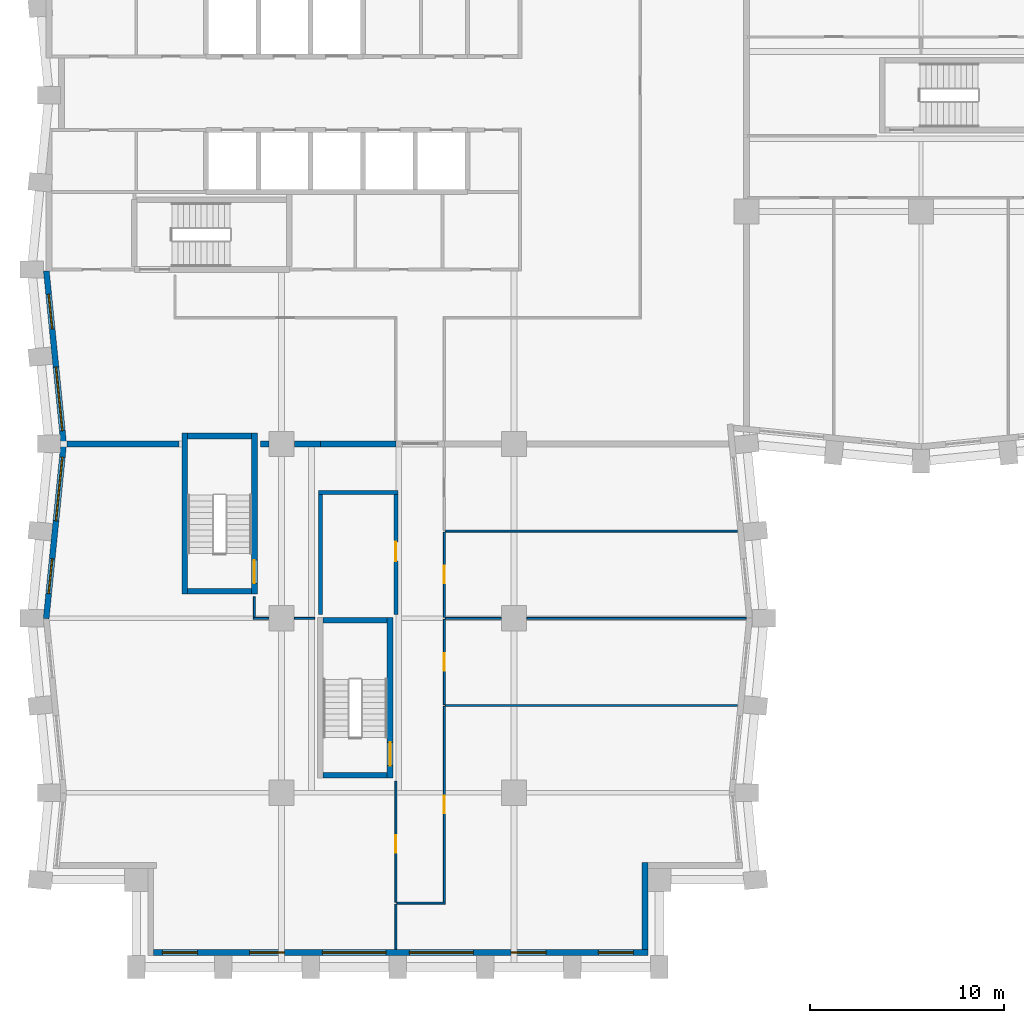
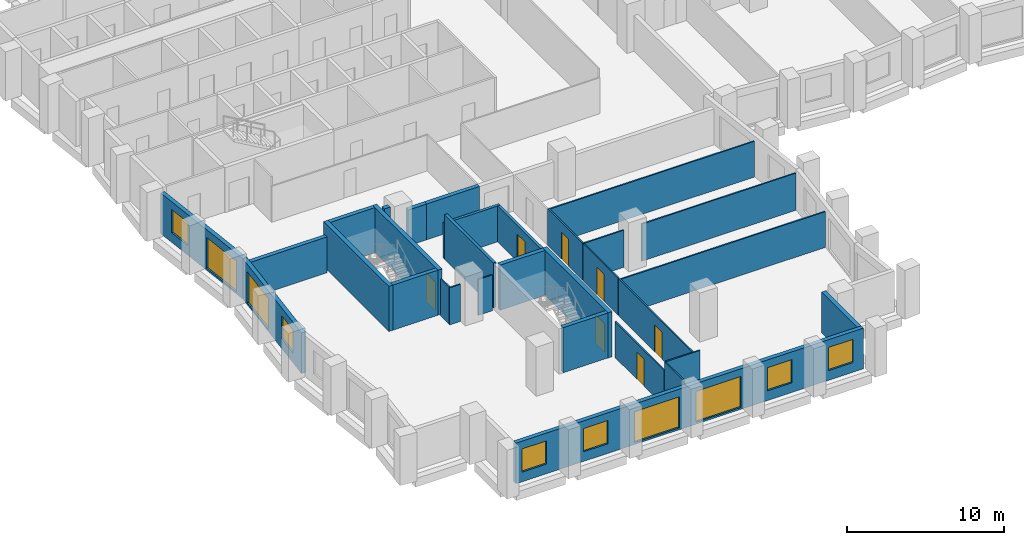
# One storey, part 3 of 11: 31 walls, 10 windows, 7 doors, 17 openings.
"""IFC4 building model written with IfcOpenShell, lengths in metres."""

import ifcopenshell
import ifcopenshell.guid

model = None  # the IFC model being written
_history = None  # IfcOwnerHistory: only IFC2X3 demands one
_inside = {}  # id of a spatial element -> (the spatial element, [elements in it])
_under = {}  # id of a project, library or spatial element -> (it, [spatial elements below it])
_declared = {}  # id of a project -> (the project, [libraries it declares])
_typed = {}  # id of a type object -> (the type object, [elements of that type])
_made_of = {}  # id of a material, layer set ... -> (it, [elements and type objects made of it])


def new_model(schema):
    """Start an empty IFC model of exactly this schema.

    Asked for "IFC4X3", IfcOpenShell would pick the latest addendum, in which some entities
    have other attributes; the version numbers below select the first issue.
    IFC2X3 requires an IfcOwnerHistory on every rooted entity: one is made here for all.
    """
    global model, _history
    if schema == "IFC4X3":
        model = ifcopenshell.file(schema_version=(4, 3, 0, 0))
    else:
        model = ifcopenshell.file(schema=schema)
    _inside.clear()
    _under.clear()
    _declared.clear()
    _typed.clear()
    _made_of.clear()
    _history = None
    if model.schema == "IFC2X3":
        org = make("IfcOrganization", Name="unknown")
        user = make(
            "IfcPersonAndOrganization",
            ThePerson=make("IfcPerson", FamilyName="unknown"),
            TheOrganization=org,
        )
        app = make(
            "IfcApplication",
            ApplicationDeveloper=org,
            Version="unknown",
            ApplicationFullName="unknown",
            ApplicationIdentifier="unknown",
        )
        _history = make(
            "IfcOwnerHistory",
            OwningUser=user,
            OwningApplication=app,
            ChangeAction="ADDED",
            CreationDate=0,
        )
    return model


def make(cls, **values):
    """One entity of the class cls with the attributes given. An attribute that is None is left unset."""
    return model.create_entity(
        cls, **{name: value for name, value in values.items() if value is not None}
    )


def rooted(cls, **values):
    """An entity with a GlobalId (a new one), such as an element, a storey or a relation."""
    return make(cls, GlobalId=ifcopenshell.guid.new(), OwnerHistory=_history, **values)


def si_unit(unit_type, name, prefix=None):
    """IfcSIUnit, for example si_unit("LENGTHUNIT", "METRE", prefix="MILLI")."""
    return make("IfcSIUnit", UnitType=unit_type, Prefix=prefix, Name=name)


def assignment(units):
    """IfcUnitAssignment: the units of a project."""
    return None if units is None else make("IfcUnitAssignment", Units=units)


def point(xyz):
    """IfcCartesianPoint."""
    return None if xyz is None else make("IfcCartesianPoint", Coordinates=xyz)


def direction(xyz):
    """IfcDirection."""
    return None if xyz is None else make("IfcDirection", DirectionRatios=xyz)


def frame(location, z_axis=None, x_axis=None):
    """IfcAxis2Placement3D, a coordinate frame: its origin and axes. An axis left out is left unset."""
    return make(
        "IfcAxis2Placement3D",
        Location=point(location),
        Axis=direction(z_axis),
        RefDirection=direction(x_axis),
    )


def frame_2d(location, x_axis=None):
    """IfcAxis2Placement2D, a coordinate frame in the plane: its origin and x axis."""
    return make(
        "IfcAxis2Placement2D", Location=point(location), RefDirection=direction(x_axis)
    )


def origin():
    """The frame at (0, 0, 0) with its axes left unset."""
    return frame((0.0, 0.0, 0.0))


def place(relative_to, where):
    """IfcLocalPlacement: puts the frame where relative to a parent placement (None: the world)."""
    return make(
        "IfcLocalPlacement", PlacementRelTo=relative_to, RelativePlacement=where
    )


def context(
    kind, dimensions, precision=None, world=None, true_north=None, identifier=None
):
    """IfcGeometricRepresentationContext, for example the 3D "Model" context."""
    return make(
        "IfcGeometricRepresentationContext",
        ContextIdentifier=identifier,
        ContextType=kind,
        CoordinateSpaceDimension=dimensions,
        Precision=precision,
        WorldCoordinateSystem=world,
        TrueNorth=true_north,
    )


def subcontext(parent, identifier, kind, view, scale=None):
    """IfcGeometricRepresentationSubContext, for example "Body" below "Model"."""
    return make(
        "IfcGeometricRepresentationSubContext",
        ContextIdentifier=identifier,
        ContextType=kind,
        ParentContext=parent,
        TargetScale=scale,
        TargetView=view,
    )


def project(units=None, contexts=None):
    """IfcProject with its units and contexts."""
    return rooted(
        "IfcProject",
        Name="project",
        RepresentationContexts=contexts,
        UnitsInContext=assignment(units),
    )


def spatial(cls, under=None, at=None, **own):
    """A site, building, storey or space (cls), placed at a placement, below another one or the project."""
    s = rooted(cls, ObjectPlacement=at, **own)
    if under is not None:
        _under.setdefault(under.id(), (under, []))[1].append(s)
    return s


def profile(cls, at=None, kind="AREA", **sizes):
    """A parametric profile (cls). Its sizes go by their IFC names, for example OverallWidth=200.0."""
    return make(cls, ProfileType=kind, Position=at, **sizes)


def rectangle(**sizes):
    """IfcRectangleProfileDef."""
    return profile("IfcRectangleProfileDef", **sizes)


def extrude(swept, where, along, depth):
    """IfcExtrudedAreaSolid: the profile swept, set in the frame where, extruded along a direction by depth."""
    return make(
        "IfcExtrudedAreaSolid",
        SweptArea=swept,
        Position=where,
        ExtrudedDirection=direction(along),
        Depth=depth,
    )


def shape(context_of_items, identifier, shape_type, items):
    """IfcShapeRepresentation: the items that make up one representation, for example the "Body"."""
    return make(
        "IfcShapeRepresentation",
        ContextOfItems=context_of_items,
        RepresentationIdentifier=identifier,
        RepresentationType=shape_type,
        Items=items,
    )


def material(Name=None, Category=None):
    """IfcMaterial."""
    return make("IfcMaterial", Name=Name, Category=Category)


def layer(
    of_material, thickness, ventilated=None, Name=None, Category=None, Priority=None
):
    """IfcMaterialLayer: one layer of a wall or slab, of a material (None: an air gap)."""
    return make(
        "IfcMaterialLayer",
        Material=of_material,
        LayerThickness=thickness,
        IsVentilated=ventilated,
        Name=Name,
        Category=Category,
        Priority=Priority,
    )


def layer_set(layers, Name=None):
    """IfcMaterialLayerSet."""
    return make("IfcMaterialLayerSet", MaterialLayers=layers, LayerSetName=Name)


def made_of(thing, what):
    """Note that an element or type object is made of a material, layer set ...; save() writes the relation."""
    if what is not None:
        _made_of.setdefault(what.id(), (what, []))[1].append(thing)
    return thing


def type_object(cls, material=None, **own):
    """A type object (cls), such as IfcWallType, which elements share."""
    return made_of(rooted(cls, **own), material)


def element(
    cls,
    number,
    at=None,
    inside=None,
    cuts=None,
    type_object=None,
    material=None,
    context=None,
    identifier="Body",
    shape_type=None,
    held_by="IfcProductDefinitionShape",
    body=None,
    shapes=None,
    **own,
):
    """One element of the class cls, such as IfcWall. Its Tag is "e" and its number.

    at: its placement. inside: the storey or other place that contains it. cuts: it is an
    opening in that element (IfcRelVoidsElement). A single representation is given by context,
    identifier, shape_type and body (its items); several are given by shapes. held_by: the class
    of the entity that holds the representations. save() writes the other relations.
    """
    e = rooted(cls, Tag="e%d" % number, ObjectPlacement=at, **own)
    if body is not None:
        shapes = [shape(context, identifier, shape_type, body)]
    if shapes is not None:
        e.Representation = make(held_by, Representations=shapes)
    if inside is not None:
        _inside.setdefault(inside.id(), (inside, []))[1].append(e)
    if cuts is not None:
        rooted(
            "IfcRelVoidsElement", RelatingBuildingElement=cuts, RelatedOpeningElement=e
        )
    if type_object is not None:
        _typed.setdefault(type_object.id(), (type_object, []))[1].append(e)
    return made_of(e, material)


def fill(opening, filler):
    """IfcRelFillsElement: the door or window that sits in an opening."""
    return rooted(
        "IfcRelFillsElement",
        RelatingOpeningElement=opening,
        RelatedBuildingElement=filler,
    )


def aggregate(whole, parts):
    """IfcRelAggregates: a whole, such as a stair, and the parts it consists of."""
    return rooted("IfcRelAggregates", RelatingObject=whole, RelatedObjects=parts)


def save(model, path):
    """Write the relations noted so far, then the file.

    IfcRelAggregates (storeys below a building ...), IfcRelContainedInSpatialStructure (elements
    in a storey), IfcRelDefinesByType, IfcRelAssociatesMaterial and IfcRelDeclares: one each for
    every whole, place, type object, material and project.
    """
    for whole, parts in _under.values():
        aggregate(whole, parts)
    for where, things in _inside.values():
        rooted(
            "IfcRelContainedInSpatialStructure",
            RelatedElements=things,
            RelatingStructure=where,
        )
    for kind, things in _typed.values():
        rooted("IfcRelDefinesByType", RelatedObjects=things, RelatingType=kind)
    for what, things in _made_of.values():
        rooted("IfcRelAssociatesMaterial", RelatedObjects=things, RelatingMaterial=what)
    for by, libraries in _declared.values():
        rooted("IfcRelDeclares", RelatingContext=by, RelatedDefinitions=libraries)
    model.write(path)


model = new_model("IFC4")

# Units and contexts
model_context = context("Model", 3, precision=1e-05, world=origin(), true_north=direction((0.0, 1.0)))
body_context = subcontext(model_context, "Body", "Model", "MODEL_VIEW")
ifc_project = project(units=[si_unit("LENGTHUNIT", "METRE"), si_unit("AREAUNIT", "SQUARE_METRE"), si_unit("VOLUMEUNIT", "CUBIC_METRE"), si_unit("PLANEANGLEUNIT", "RADIAN"), si_unit("MASSUNIT", "GRAM", prefix="KILO")], contexts=[model_context])

# Site, building, storey
site_placement = place(None, origin())
site = spatial("IfcSite", under=ifc_project, at=site_placement, CompositionType="ELEMENT")
building_placement = place(site_placement, origin())
building = spatial("IfcBuilding", under=site, at=building_placement, Name="Brondeck Convention Tower", CompositionType="ELEMENT")
storey_placement = place(building_placement, frame((0.0, 0.0, 126.5)))
storey = spatial("IfcBuildingStorey", under=building, at=storey_placement, Name="L30", CompositionType="ELEMENT", Elevation=126.5)

# Walls
ifc_material_1 = material(Name="Concrete compartment wall C30/37", Category="concrete")
ifc_layer_1 = layer(ifc_material_1, 0.300048828125)
ifc_layer_set_1 = layer_set([ifc_layer_1], Name="Compartment wall 300")
wall_type_1 = type_object("IfcWallType", Name="Compartment wall 300", PredefinedType="PARTITIONING", material=ifc_layer_set_1)
wall_1_placement = place(storey_placement, frame((0.924560546875, 27.0, 0.0), z_axis=(0.0, 0.0, 1.0), x_axis=(1.0, 0.0, 0.0)))
element("IfcWall", 1, at=wall_1_placement, inside=storey, type_object=wall_type_1, Name="FLR-L30-W018", PredefinedType="PARTITIONING", context=body_context, shape_type="SweptSolid", body=[
    extrude(rectangle(XDim=5.775390625, YDim=0.300048828125, at=frame_2d((2.8876953125, 0.0))), origin(), (0.0, 0.0, 1.0), 2.780029296875),
])
wall_2_placement = place(storey_placement, frame((10.89990234375, 27.0, 0.0), z_axis=(0.0, 0.0, 1.0), x_axis=(1.0, 0.0, 0.0)))
element("IfcWall", 2, at=wall_2_placement, inside=storey, type_object=wall_type_1, Name="FLR-L30-W019", PredefinedType="PARTITIONING", context=body_context, shape_type="SweptSolid", body=[
    extrude(rectangle(XDim=0.445068359375, YDim=0.300048828125, at=frame_2d((0.22265625, 0.0))), origin(), (0.0, 0.0, 1.0), 3.47998046875),
])
wall_3_placement = place(storey_placement, frame((12.655029296875, 27.0, 0.0), z_axis=(0.0, 0.0, 1.0), x_axis=(1.0, 0.0, 0.0)))
element("IfcWall", 3, at=wall_3_placement, inside=storey, type_object=wall_type_1, Name="FLR-L30-W020", PredefinedType="PARTITIONING", context=body_context, shape_type="SweptSolid", body=[
    extrude(rectangle(XDim=1.344970703125, YDim=0.300048828125, at=frame_2d((0.67236328125, 0.0))), origin(), (0.0, 0.0, 1.0), 2.780029296875),
])
wall_4_placement = place(storey_placement, frame((14.0, 27.0, 0.0), z_axis=(0.0, 0.0, 1.0), x_axis=(1.0, 0.0, 0.0)))
element("IfcWall", 4, at=wall_4_placement, inside=storey, type_object=wall_type_1, Name="FLR-L30-W021", PredefinedType="PARTITIONING", context=body_context, shape_type="SweptSolid", body=[
    extrude(rectangle(XDim=3.89990234375, YDim=0.300048828125, at=frame_2d((1.949951171875, 0.0))), origin(), (0.0, 0.0, 1.0), 2.780029296875),
])

# Wall, openings, windows
ifc_material_2 = material(Name="Precast concrete C50/60 bronze finish", Category="concrete")
ifc_layer_2 = layer(ifc_material_2, 0.070068359375, Name="Bronze precast facing")
ifc_material_3 = material(Name="Mineral wool")
ifc_layer_3 = layer(ifc_material_3, 0.159912109375, Name="Insulation")
ifc_material_4 = material(Name="Concrete C35/45", Category="concrete")
ifc_layer_4 = layer(ifc_material_4, 0.070068359375, Name="Backing")
ifc_layer_set_2 = layer_set([ifc_layer_2, ifc_layer_3, ifc_layer_4], Name="External infill wall, precast concrete C50/60 bronze facing")
wall_type_2 = type_object("IfcWallType", Name="External infill wall, precast concrete C50/60 bronze facing", PredefinedType="SOLIDWALL", material=ifc_layer_set_2)
wall_5_placement = place(storey_placement, frame((30.89990234375, 0.75, 0.0), z_axis=(0.0, 0.0, 1.0), x_axis=(-1.0, 0.0, 0.0)))
wall_5 = element("IfcWall", 5, at=wall_5_placement, inside=storey, type_object=wall_type_2, Name="ENV-EW-L30-P0-B-S0-01", PredefinedType="SOLIDWALL", context=body_context, shape_type="SweptSolid", body=[
    extrude(rectangle(XDim=25.5, YDim=0.300048828125, at=frame_2d((12.75, 0.0))), origin(), (0.0, 0.0, 1.0), 3.14990234375),
])
opening_1_placement = place(wall_5_placement, frame((0.75, 0.0, 0.75)))
opening_1 = element("IfcOpeningElement", 6, at=opening_1_placement, cuts=wall_5, Name="Opening W10", PredefinedType="OPENING", context=body_context, shape_type="SweptSolid", body=[
    extrude(rectangle(XDim=1.800048828125, YDim=1.800048828125, at=frame_2d((0.89990234375, 0.89990234375))), frame((0.0, 0.159912109375, 0.0), z_axis=(0.0, -1.0, 0.0), x_axis=(1.0, 0.0, 0.0)), (0.0, 0.0, 1.0), 0.320068359375),
])
opening_2_placement = place(wall_5_placement, frame((5.25, 0.0, 0.75)))
opening_2 = element("IfcOpeningElement", 7, at=opening_2_placement, cuts=wall_5, Name="Opening W10", PredefinedType="OPENING", context=body_context, shape_type="SweptSolid", body=[
    extrude(rectangle(XDim=1.800048828125, YDim=1.800048828125, at=frame_2d((0.89990234375, 0.89990234375))), frame((0.0, 0.159912109375, 0.0), z_axis=(0.0, -1.0, 0.0), x_axis=(1.0, 0.0, 0.0)), (0.0, 0.0, 1.0), 0.320068359375),
])
opening_3_placement = place(wall_5_placement, frame((9.0, 0.0, 0.14990234375)))
opening_3 = element("IfcOpeningElement", 8, at=opening_3_placement, cuts=wall_5, Name="Opening W9", PredefinedType="OPENING", context=body_context, shape_type="SweptSolid", body=[
    extrude(rectangle(XDim=3.300048828125, YDim=2.39990234375, at=frame_2d((1.64990234375, 1.199951171875))), frame((0.0, 0.159912109375, 0.0), z_axis=(0.0, -1.0, 0.0), x_axis=(1.0, 0.0, 0.0)), (0.0, 0.0, 1.0), 0.320068359375),
])
opening_4_placement = place(wall_5_placement, frame((13.5, 0.0, 0.14990234375)))
opening_4 = element("IfcOpeningElement", 9, at=opening_4_placement, cuts=wall_5, Name="Opening W9", PredefinedType="OPENING", context=body_context, shape_type="SweptSolid", body=[
    extrude(rectangle(XDim=3.300048828125, YDim=2.39990234375, at=frame_2d((1.64990234375, 1.199951171875))), frame((0.0, 0.159912109375, 0.0), z_axis=(0.0, -1.0, 0.0), x_axis=(1.0, 0.0, 0.0)), (0.0, 0.0, 1.0), 0.320068359375),
])
opening_5_placement = place(wall_5_placement, frame((18.75, 0.0, 0.75)))
opening_5 = element("IfcOpeningElement", 10, at=opening_5_placement, cuts=wall_5, Name="Opening W10", PredefinedType="OPENING", context=body_context, shape_type="SweptSolid", body=[
    extrude(rectangle(XDim=1.800048828125, YDim=1.800048828125, at=frame_2d((0.89990234375, 0.89990234375))), frame((0.0, 0.159912109375, 0.0), z_axis=(0.0, -1.0, 0.0), x_axis=(1.0, 0.0, 0.0)), (0.0, 0.0, 1.0), 0.320068359375),
])
opening_6_placement = place(wall_5_placement, frame((23.25, 0.0, 0.75)))
opening_6 = element("IfcOpeningElement", 11, at=opening_6_placement, cuts=wall_5, Name="Opening W10", PredefinedType="OPENING", context=body_context, shape_type="SweptSolid", body=[
    extrude(rectangle(XDim=1.800048828125, YDim=1.800048828125, at=frame_2d((0.89990234375, 0.89990234375))), frame((0.0, 0.159912109375, 0.0), z_axis=(0.0, -1.0, 0.0), x_axis=(1.0, 0.0, 0.0)), (0.0, 0.0, 1.0), 0.320068359375),
])
ifc_material_5 = material(Name="Bronze tinted double glazing", Category="glass")
window_type_1 = type_object("IfcWindowType", Name="Glazed flute window, bronze tinted", PartitioningType="SINGLE_PANEL", PredefinedType="WINDOW", material=ifc_material_5)
window_1_placement = place(opening_3_placement, origin())
window_1 = element("IfcWindow", 12, at=window_1_placement, inside=storey, type_object=window_type_1, Name="ENV-WN-L30-P0-B-S0-04", OverallHeight=2.39990234375, OverallWidth=3.300048828125, PartitioningType="SINGLE_PANEL", PredefinedType="WINDOW", context=body_context, shape_type="SweptSolid", body=[
    extrude(rectangle(XDim=3.300048828125, YDim=2.39990234375, at=frame_2d((1.64990234375, 1.199951171875))), frame((0.0, 0.030029296875, 0.0), z_axis=(0.0, -1.0, 0.0), x_axis=(1.0, 0.0, 0.0)), (0.0, 0.0, 1.0), 0.06005859375),
])
fill(opening_3, window_1)
window_2_placement = place(opening_4_placement, origin())
window_2 = element("IfcWindow", 13, at=window_2_placement, inside=storey, type_object=window_type_1, Name="ENV-WN-L30-P0-B-S0-03", OverallHeight=2.39990234375, OverallWidth=3.300048828125, PartitioningType="SINGLE_PANEL", PredefinedType="WINDOW", context=body_context, shape_type="SweptSolid", body=[
    extrude(rectangle(XDim=3.300048828125, YDim=2.39990234375, at=frame_2d((1.64990234375, 1.199951171875))), frame((0.0, 0.030029296875, 0.0), z_axis=(0.0, -1.0, 0.0), x_axis=(1.0, 0.0, 0.0)), (0.0, 0.0, 1.0), 0.06005859375),
])
fill(opening_4, window_2)
window_type_2 = type_object("IfcWindowType", Name="Punched window, bronze tinted", PartitioningType="SINGLE_PANEL", PredefinedType="WINDOW", material=ifc_material_5)
window_3_placement = place(opening_1_placement, origin())
window_3 = element("IfcWindow", 14, at=window_3_placement, inside=storey, type_object=window_type_2, Name="ENV-WN-L30-P0-B-S0-06", OverallHeight=1.800048828125, OverallWidth=1.800048828125, PartitioningType="SINGLE_PANEL", PredefinedType="WINDOW", context=body_context, shape_type="SweptSolid", body=[
    extrude(rectangle(XDim=1.800048828125, YDim=1.800048828125, at=frame_2d((0.89990234375, 0.89990234375))), frame((0.0, 0.030029296875, 0.0), z_axis=(0.0, -1.0, 0.0), x_axis=(1.0, 0.0, 0.0)), (0.0, 0.0, 1.0), 0.06005859375),
])
fill(opening_1, window_3)
window_4_placement = place(opening_2_placement, origin())
window_4 = element("IfcWindow", 15, at=window_4_placement, inside=storey, type_object=window_type_2, Name="ENV-WN-L30-P0-B-S0-05", OverallHeight=1.800048828125, OverallWidth=1.800048828125, PartitioningType="SINGLE_PANEL", PredefinedType="WINDOW", context=body_context, shape_type="SweptSolid", body=[
    extrude(rectangle(XDim=1.800048828125, YDim=1.800048828125, at=frame_2d((0.89990234375, 0.89990234375))), frame((0.0, 0.030029296875, 0.0), z_axis=(0.0, -1.0, 0.0), x_axis=(1.0, 0.0, 0.0)), (0.0, 0.0, 1.0), 0.06005859375),
])
fill(opening_2, window_4)
window_5_placement = place(opening_5_placement, origin())
window_5 = element("IfcWindow", 16, at=window_5_placement, inside=storey, type_object=window_type_2, Name="ENV-WN-L30-P0-B-S0-02", OverallHeight=1.800048828125, OverallWidth=1.800048828125, PartitioningType="SINGLE_PANEL", PredefinedType="WINDOW", context=body_context, shape_type="SweptSolid", body=[
    extrude(rectangle(XDim=1.800048828125, YDim=1.800048828125, at=frame_2d((0.89990234375, 0.89990234375))), frame((0.0, 0.030029296875, 0.0), z_axis=(0.0, -1.0, 0.0), x_axis=(1.0, 0.0, 0.0)), (0.0, 0.0, 1.0), 0.06005859375),
])
fill(opening_5, window_5)
window_6_placement = place(opening_6_placement, origin())
window_6 = element("IfcWindow", 17, at=window_6_placement, inside=storey, type_object=window_type_2, Name="ENV-WN-L30-P0-B-S0-01", OverallHeight=1.800048828125, OverallWidth=1.800048828125, PartitioningType="SINGLE_PANEL", PredefinedType="WINDOW", context=body_context, shape_type="SweptSolid", body=[
    extrude(rectangle(XDim=1.800048828125, YDim=1.800048828125, at=frame_2d((0.89990234375, 0.89990234375))), frame((0.0, 0.030029296875, 0.0), z_axis=(0.0, -1.0, 0.0), x_axis=(1.0, 0.0, 0.0)), (0.0, 0.0, 1.0), 0.06005859375),
])
fill(opening_6, window_6)

# Wall
wall_6_placement = place(storey_placement, frame((30.75, 5.39990234375, 0.0), z_axis=(0.0, 0.0, 1.0), x_axis=(0.0, -1.0, 0.0)))
element("IfcWall", 18, at=wall_6_placement, inside=storey, type_object=wall_type_2, Name="ENV-EW-L30-P0-NC-SEB0-01", PredefinedType="SOLIDWALL", context=body_context, shape_type="SweptSolid", body=[
    extrude(rectangle(XDim=4.501953125, YDim=0.300048828125, at=frame_2d((2.2509765625, 0.0))), origin(), (0.0, 0.0, 1.0), 3.14990234375),
])

# Wall, openings, windows
wall_7_placement = place(storey_placement, frame((0.755126953125, 26.985107421875, 0.0), z_axis=(0.0, 0.0, 1.0), x_axis=(-0.099479505633, 0.995039611251, 0.0)))
wall_7 = element("IfcWall", 19, at=wall_7_placement, inside=storey, type_object=wall_type_2, Name="ENV-EW-L30-P0-B-W-06", PredefinedType="SOLIDWALL", context=body_context, shape_type="SweptSolid", body=[
    extrude(rectangle(XDim=8.98486328125, YDim=0.300048828125, at=frame_2d((4.492431640625, 0.0))), origin(), (0.0, 0.0, 1.0), 3.14990234375),
])
opening_7_placement = place(wall_7_placement, frame((0.701171875, 0.0, 0.14990234375)))
opening_7 = element("IfcOpeningElement", 20, at=opening_7_placement, cuts=wall_7, Name="Opening W9", PredefinedType="OPENING", context=body_context, shape_type="SweptSolid", body=[
    extrude(rectangle(XDim=3.300048828125, YDim=2.39990234375, at=frame_2d((1.64990234375, 1.199951171875))), frame((0.0, 0.159912109375, 0.0), z_axis=(0.0, -1.0, 0.0), x_axis=(1.0, 0.0, 0.0)), (0.0, 0.0, 1.0), 0.320068359375),
])
opening_8_placement = place(wall_7_placement, frame((5.9736328125, 0.0, 0.75)))
opening_8 = element("IfcOpeningElement", 21, at=opening_8_placement, cuts=wall_7, Name="Opening W10", PredefinedType="OPENING", context=body_context, shape_type="SweptSolid", body=[
    extrude(rectangle(XDim=1.800048828125, YDim=1.800048828125, at=frame_2d((0.89990234375, 0.89990234375))), frame((0.0, 0.159912109375, 0.0), z_axis=(0.0, -1.0, 0.0), x_axis=(1.0, 0.0, 0.0)), (0.0, 0.0, 1.0), 0.320068359375),
])
window_7_placement = place(opening_7_placement, origin())
window_7 = element("IfcWindow", 22, at=window_7_placement, inside=storey, type_object=window_type_1, Name="ENV-WN-L30-P0-B-W-07", OverallHeight=2.39990234375, OverallWidth=3.300048828125, PartitioningType="SINGLE_PANEL", PredefinedType="WINDOW", context=body_context, shape_type="SweptSolid", body=[
    extrude(rectangle(XDim=3.300048828125, YDim=2.39990234375, at=frame_2d((1.64990234375, 1.199951171875))), frame((0.0, 0.030029296875, 0.0), z_axis=(0.0, -1.0, 0.0), x_axis=(1.0, 0.0, 0.0)), (0.0, 0.0, 1.0), 0.06005859375),
])
fill(opening_7, window_7)
window_8_placement = place(opening_8_placement, origin())
window_8 = element("IfcWindow", 23, at=window_8_placement, inside=storey, type_object=window_type_2, Name="ENV-WN-L30-P0-B-W-06", OverallHeight=1.800048828125, OverallWidth=1.800048828125, PartitioningType="SINGLE_PANEL", PredefinedType="WINDOW", context=body_context, shape_type="SweptSolid", body=[
    extrude(rectangle(XDim=1.800048828125, YDim=1.800048828125, at=frame_2d((0.89990234375, 0.89990234375))), frame((0.0, 0.030029296875, 0.0), z_axis=(0.0, -1.0, 0.0), x_axis=(1.0, 0.0, 0.0)), (0.0, 0.0, 1.0), 0.06005859375),
])
fill(opening_8, window_8)

wall_8_placement = place(storey_placement, frame((-0.147705078125, 17.985107421875, 0.0), z_axis=(0.0, 0.0, 1.0), x_axis=(0.099495688264, 0.995037993253, 0.0)))
wall_8 = element("IfcWall", 24, at=wall_8_placement, inside=storey, type_object=wall_type_2, Name="ENV-EW-L30-P0-B-W-08", PredefinedType="SOLIDWALL", context=body_context, shape_type="SweptSolid", body=[
    extrude(rectangle(XDim=9.030029296875, YDim=0.300048828125, at=frame_2d((4.51513671875, 0.0))), origin(), (0.0, 0.0, 1.0), 3.14990234375),
])
opening_9_placement = place(wall_8_placement, frame((1.30126953125, 0.0, 0.75)))
opening_9 = element("IfcOpeningElement", 25, at=opening_9_placement, cuts=wall_8, Name="Opening W10", PredefinedType="OPENING", context=body_context, shape_type="SweptSolid", body=[
    extrude(rectangle(XDim=1.800048828125, YDim=1.800048828125, at=frame_2d((0.89990234375, 0.89990234375))), frame((0.0, 0.159912109375, 0.0), z_axis=(0.0, -1.0, 0.0), x_axis=(1.0, 0.0, 0.0)), (0.0, 0.0, 1.0), 0.320068359375),
])
opening_10_placement = place(wall_8_placement, frame((5.073486328125, 0.0, 0.14990234375)))
opening_10 = element("IfcOpeningElement", 26, at=opening_10_placement, cuts=wall_8, Name="Opening W9", PredefinedType="OPENING", context=body_context, shape_type="SweptSolid", body=[
    extrude(rectangle(XDim=3.300048828125, YDim=2.39990234375, at=frame_2d((1.64990234375, 1.199951171875))), frame((0.0, 0.159912109375, 0.0), z_axis=(0.0, -1.0, 0.0), x_axis=(1.0, 0.0, 0.0)), (0.0, 0.0, 1.0), 0.320068359375),
])
window_9_placement = place(opening_10_placement, origin())
window_9 = element("IfcWindow", 27, at=window_9_placement, inside=storey, type_object=window_type_1, Name="ENV-WN-L30-P0-B-W-08", OverallHeight=2.39990234375, OverallWidth=3.300048828125, PartitioningType="SINGLE_PANEL", PredefinedType="WINDOW", context=body_context, shape_type="SweptSolid", body=[
    extrude(rectangle(XDim=3.300048828125, YDim=2.39990234375, at=frame_2d((1.64990234375, 1.199951171875))), frame((0.0, 0.030029296875, 0.0), z_axis=(0.0, -1.0, 0.0), x_axis=(1.0, 0.0, 0.0)), (0.0, 0.0, 1.0), 0.06005859375),
])
fill(opening_10, window_9)
window_10_placement = place(opening_9_placement, origin())
window_10 = element("IfcWindow", 28, at=window_10_placement, inside=storey, type_object=window_type_2, Name="ENV-WN-L30-P0-B-W-09", OverallHeight=1.800048828125, OverallWidth=1.800048828125, PartitioningType="SINGLE_PANEL", PredefinedType="WINDOW", context=body_context, shape_type="SweptSolid", body=[
    extrude(rectangle(XDim=1.800048828125, YDim=1.800048828125, at=frame_2d((0.89990234375, 0.89990234375))), frame((0.0, 0.030029296875, 0.0), z_axis=(0.0, -1.0, 0.0), x_axis=(1.0, 0.0, 0.0)), (0.0, 0.0, 1.0), 0.06005859375),
])
fill(opening_9, window_10)

# Wall, opening, door
ifc_material_6 = material(Name="Concrete block wall C16/20", Category="concrete")
ifc_layer_5 = layer(ifc_material_6, 0.199951171875)
ifc_layer_set_3 = layer_set([ifc_layer_5], Name="Plant room wall 200")
wall_type_3 = type_object("IfcWallType", Name="Plant room wall 200", PredefinedType="PARTITIONING", material=ifc_layer_set_3)
wall_9_placement = place(storey_placement, frame((17.89990234375, 18.199951171875, 0.0), z_axis=(0.0, 0.0, 1.0), x_axis=(0.0, 1.0, 0.0)))
wall_9 = element("IfcWall", 29, at=wall_9_placement, inside=storey, type_object=wall_type_3, Name="FLR-L30-W012", PredefinedType="PARTITIONING", context=body_context, shape_type="SweptSolid", body=[
    extrude(rectangle(XDim=6.199951171875, YDim=0.199951171875, at=frame_2d((3.10009765625, 0.0))), origin(), (0.0, 0.0, 1.0), 2.780029296875),
])
opening_11_placement = place(wall_9_placement, frame((2.75, 0.0, 0.0)))
opening_11 = element("IfcOpeningElement", 30, at=opening_11_placement, cuts=wall_9, Name="Opening OF-D-001", PredefinedType="OPENING", context=body_context, shape_type="SweptSolid", body=[
    extrude(rectangle(XDim=1.0, YDim=2.10009765625, at=frame_2d((0.5, 1.050048828125))), frame((0.0, 0.10986328125, 0.0), z_axis=(0.0, -1.0, 0.0), x_axis=(1.0, 0.0, 0.0)), (0.0, 0.0, 1.0), 0.219970703125),
])
ifc_material_7 = material(Name="Steel fire door leaf", Category="steel")
door_type_1 = type_object("IfcDoorType", Name="Plant room door 1000", OperationType="NOTDEFINED", PredefinedType="DOOR", material=ifc_material_7)
door_1_placement = place(opening_11_placement, origin())
door_1 = element("IfcDoor", 31, at=door_1_placement, inside=storey, type_object=door_type_1, Name="Door OF-D-001", OperationType="SINGLE_SWING_LEFT", OverallHeight=2.10009765625, OverallWidth=1.0, PredefinedType="DOOR", context=body_context, shape_type="SweptSolid", body=[
    extrude(rectangle(XDim=1.0, YDim=2.10009765625, at=frame_2d((0.5, 1.050048828125))), frame((0.0, 0.02490234375, 0.0), z_axis=(0.0, -1.0, 0.0), x_axis=(1.0, 0.0, 0.0)), (0.0, 0.0, 1.0), 0.050048828125),
])
fill(opening_11, door_1)

# Walls
wall_10_placement = place(storey_placement, frame((14.0, 24.39990234375, 0.0), z_axis=(0.0, 0.0, 1.0), x_axis=(0.0, -1.0, 0.0)))
element("IfcWall", 32, at=wall_10_placement, inside=storey, type_object=wall_type_3, Name="FLR-L30-W015", PredefinedType="PARTITIONING", context=body_context, shape_type="SweptSolid", body=[
    extrude(rectangle(XDim=6.199951171875, YDim=0.199951171875, at=frame_2d((3.10009765625, 0.0))), origin(), (0.0, 0.0, 1.0), 3.47998046875),
])
wall_11_placement = place(storey_placement, frame((18.0, 24.5, 0.0), z_axis=(0.0, 0.0, 1.0), x_axis=(-1.0, 0.0, 0.0)))
element("IfcWall", 33, at=wall_11_placement, inside=storey, type_object=wall_type_3, Name="FLR-L30-W016", PredefinedType="PARTITIONING", context=body_context, shape_type="SweptSolid", body=[
    extrude(rectangle(XDim=4.10009765625, YDim=0.199951171875, at=frame_2d((2.050048828125, 0.0))), origin(), (0.0, 0.0, 1.0), 2.780029296875),
])
ifc_material_8 = material(Name="Gypsum board partition on steel studs", Category="steel")
ifc_layer_6 = layer(ifc_material_8, 0.10009765625)
ifc_layer_set_4 = layer_set([ifc_layer_6], Name="Room partition 100")
wall_type_4 = type_object("IfcWallType", Name="Room partition 100", PredefinedType="PARTITIONING", material=ifc_layer_set_4)
wall_12_placement = place(storey_placement, frame((17.89990234375, 0.919921875, 0.0), z_axis=(0.0, 0.0, 1.0), x_axis=(0.0, 1.0, 0.0)))
element("IfcWall", 34, at=wall_12_placement, inside=storey, type_object=wall_type_4, Name="FLR-L30-W001", PredefinedType="PARTITIONING", context=body_context, shape_type="SweptSolid", body=[
    extrude(rectangle(XDim=2.330078125, YDim=0.10009765625, at=frame_2d((1.1650390625, 0.0))), origin(), (0.0, 0.0, 1.0), 3.47998046875),
])
wall_13_placement = place(storey_placement, frame((20.449951171875, 3.300048828125, 0.0), z_axis=(0.0, 0.0, 1.0), x_axis=(-1.0, 0.0, 0.0)))
element("IfcWall", 35, at=wall_13_placement, inside=storey, type_object=wall_type_4, Name="FLR-L30-W002", PredefinedType="PARTITIONING", context=body_context, shape_type="SweptSolid", body=[
    extrude(rectangle(XDim=2.5, YDim=0.10009765625, at=frame_2d((1.25, 0.0))), origin(), (0.0, 0.0, 1.0), 3.47998046875),
])

# Wall, opening, door
wall_14_placement = place(storey_placement, frame((17.89990234375, 3.35009765625, 0.0), z_axis=(0.0, 0.0, 1.0), x_axis=(0.0, 1.0, 0.0)))
wall_14 = element("IfcWall", 36, at=wall_14_placement, inside=storey, type_object=wall_type_4, Name="FLR-L30-W003", PredefinedType="PARTITIONING", context=body_context, shape_type="SweptSolid", body=[
    extrude(rectangle(XDim=6.25, YDim=0.10009765625, at=frame_2d((3.125, 0.0))), origin(), (0.0, 0.0, 1.0), 2.780029296875),
])
opening_12_placement = place(wall_14_placement, frame((2.550048828125, 0.0, 0.0)))
opening_12 = element("IfcOpeningElement", 37, at=opening_12_placement, cuts=wall_14, Name="Opening OF-D-022", PredefinedType="OPENING", context=body_context, shape_type="SweptSolid", body=[
    extrude(rectangle(XDim=0.89990234375, YDim=2.10009765625, at=frame_2d((0.449951171875, 1.050048828125))), frame((0.0, 0.06005859375, 0.0), z_axis=(0.0, -1.0, 0.0), x_axis=(1.0, 0.0, 0.0)), (0.0, 0.0, 1.0), 0.1201171875),
])
ifc_material_9 = material(Name="Solid timber door leaf", Category="wood")
door_type_2 = type_object("IfcDoorType", Name="Single door 900", OperationType="NOTDEFINED", PredefinedType="DOOR", material=ifc_material_9)
door_2_placement = place(opening_12_placement, origin())
door_2 = element("IfcDoor", 38, at=door_2_placement, inside=storey, type_object=door_type_2, Name="Door OF-D-022", OperationType="SINGLE_SWING_LEFT", OverallHeight=2.10009765625, OverallWidth=0.89990234375, PredefinedType="DOOR", context=body_context, shape_type="SweptSolid", body=[
    extrude(rectangle(XDim=0.89990234375, YDim=2.10009765625, at=frame_2d((0.449951171875, 1.050048828125))), frame((0.0, 0.02490234375, 0.0), z_axis=(0.0, -1.0, 0.0), x_axis=(1.0, 0.0, 0.0)), (0.0, 0.0, 1.0), 0.050048828125),
])
fill(opening_12, door_2)

wall_15_placement = place(storey_placement, frame((20.39990234375, 13.449951171875, 0.0), z_axis=(0.0, 0.0, 1.0), x_axis=(0.0, -1.0, 0.0)))
wall_15 = element("IfcWall", 39, at=wall_15_placement, inside=storey, type_object=wall_type_4, Name="FLR-L30-W004", PredefinedType="PARTITIONING", context=body_context, shape_type="SweptSolid", body=[
    extrude(rectangle(XDim=10.099853515625, YDim=0.10009765625, at=frame_2d((5.0498046875, 0.0))), origin(), (0.0, 0.0, 1.0), 2.8798828125),
])
opening_13_placement = place(wall_15_placement, frame((4.60009765625, 0.0, 0.0)))
opening_13 = element("IfcOpeningElement", 40, at=opening_13_placement, cuts=wall_15, Name="Opening OF-D-021", PredefinedType="OPENING", context=body_context, shape_type="SweptSolid", body=[
    extrude(rectangle(XDim=0.89990234375, YDim=2.10009765625, at=frame_2d((0.449951171875, 1.050048828125))), frame((0.0, 0.06005859375, 0.0), z_axis=(0.0, -1.0, 0.0), x_axis=(1.0, 0.0, 0.0)), (0.0, 0.0, 1.0), 0.1201171875),
])
door_3_placement = place(opening_13_placement, origin())
door_3 = element("IfcDoor", 41, at=door_3_placement, inside=storey, type_object=door_type_2, Name="Door OF-D-021", OperationType="SINGLE_SWING_LEFT", OverallHeight=2.10009765625, OverallWidth=0.89990234375, PredefinedType="DOOR", context=body_context, shape_type="SweptSolid", body=[
    extrude(rectangle(XDim=0.89990234375, YDim=2.10009765625, at=frame_2d((0.449951171875, 1.050048828125))), frame((0.0, 0.02490234375, 0.0), z_axis=(0.0, -1.0, 0.0), x_axis=(1.0, 0.0, 0.0)), (0.0, 0.0, 1.0), 0.050048828125),
])
fill(opening_13, door_3)

# Wall
wall_16_placement = place(storey_placement, frame((35.525390625, 13.5, 0.0), z_axis=(0.0, 0.0, 1.0), x_axis=(-1.0, 0.0, 0.0)))
element("IfcWall", 42, at=wall_16_placement, inside=storey, type_object=wall_type_4, Name="FLR-L30-W005", PredefinedType="PARTITIONING", context=body_context, shape_type="SweptSolid", body=[
    extrude(rectangle(XDim=15.075439453125, YDim=0.10009765625, at=frame_2d((7.53759765625, 0.0))), origin(), (0.0, 0.0, 1.0), 2.780029296875),
])

# Wall, opening, door
wall_17_placement = place(storey_placement, frame((20.39990234375, 17.949951171875, 0.0), z_axis=(0.0, 0.0, 1.0), x_axis=(0.0, -1.0, 0.0)))
wall_17 = element("IfcWall", 43, at=wall_17_placement, inside=storey, type_object=wall_type_4, Name="FLR-L30-W006", PredefinedType="PARTITIONING", context=body_context, shape_type="SweptSolid", body=[
    extrude(rectangle(XDim=4.39990234375, YDim=0.10009765625, at=frame_2d((2.199951171875, 0.0))), origin(), (0.0, 0.0, 1.0), 2.8798828125),
])
opening_14_placement = place(wall_17_placement, frame((1.75, 0.0, 0.0)))
opening_14 = element("IfcOpeningElement", 44, at=opening_14_placement, cuts=wall_17, Name="Opening OF-D-020", PredefinedType="OPENING", context=body_context, shape_type="SweptSolid", body=[
    extrude(rectangle(XDim=0.89990234375, YDim=2.10009765625, at=frame_2d((0.449951171875, 1.050048828125))), frame((0.0, 0.06005859375, 0.0), z_axis=(0.0, -1.0, 0.0), x_axis=(1.0, 0.0, 0.0)), (0.0, 0.0, 1.0), 0.1201171875),
])
door_4_placement = place(opening_14_placement, origin())
door_4 = element("IfcDoor", 45, at=door_4_placement, inside=storey, type_object=door_type_2, Name="Door OF-D-020", OperationType="SINGLE_SWING_LEFT", OverallHeight=2.10009765625, OverallWidth=0.89990234375, PredefinedType="DOOR", context=body_context, shape_type="SweptSolid", body=[
    extrude(rectangle(XDim=0.89990234375, YDim=2.10009765625, at=frame_2d((0.449951171875, 1.050048828125))), frame((0.0, 0.02490234375, 0.0), z_axis=(0.0, -1.0, 0.0), x_axis=(1.0, 0.0, 0.0)), (0.0, 0.0, 1.0), 0.050048828125),
])
fill(opening_14, door_4)

# Walls
wall_18_placement = place(storey_placement, frame((11.344970703125, 18.0, 0.0), z_axis=(0.0, 0.0, 1.0), x_axis=(-1.0, 0.0, 0.0)))
element("IfcWall", 46, at=wall_18_placement, inside=storey, type_object=wall_type_4, Name="FLR-L30-W007", PredefinedType="PARTITIONING", context=body_context, shape_type="SweptSolid", body=[
    extrude(rectangle(XDim=0.794921875, YDim=0.10009765625, at=frame_2d((0.3974609375, 0.0))), origin(), (0.0, 0.0, 1.0), 2.8798828125),
])
wall_19_placement = place(storey_placement, frame((13.699951171875, 18.0, 0.0), z_axis=(0.0, 0.0, 1.0), x_axis=(-1.0, 0.0, 0.0)))
element("IfcWall", 47, at=wall_19_placement, inside=storey, type_object=wall_type_4, Name="FLR-L30-W008", PredefinedType="PARTITIONING", context=body_context, shape_type="SweptSolid", body=[
    extrude(rectangle(XDim=1.044921875, YDim=0.10009765625, at=frame_2d((0.5224609375, 0.0))), origin(), (0.0, 0.0, 1.0), 2.780029296875),
])
wall_20_placement = place(storey_placement, frame((23.344970703125, 18.0, 0.0), z_axis=(0.0, 0.0, 1.0), x_axis=(-1.0, 0.0, 0.0)))
element("IfcWall", 48, at=wall_20_placement, inside=storey, type_object=wall_type_4, Name="FLR-L30-W009", PredefinedType="PARTITIONING", context=body_context, shape_type="SweptSolid", body=[
    extrude(rectangle(XDim=2.89501953125, YDim=0.10009765625, at=frame_2d((1.447509765625, 0.0))), origin(), (0.0, 0.0, 1.0), 2.8798828125),
])
wall_21_placement = place(storey_placement, frame((35.9755859375, 18.0, 0.0), z_axis=(0.0, 0.0, 1.0), x_axis=(-1.0, 0.0, 0.0)))
element("IfcWall", 49, at=wall_21_placement, inside=storey, type_object=wall_type_4, Name="FLR-L30-W010", PredefinedType="PARTITIONING", context=body_context, shape_type="SweptSolid", body=[
    extrude(rectangle(XDim=11.320556640625, YDim=0.10009765625, at=frame_2d((5.66015625, 0.0))), origin(), (0.0, 0.0, 1.0), 2.8798828125),
])
wall_22_placement = place(storey_placement, frame((10.60009765625, 18.050048828125, 0.0), z_axis=(0.0, 0.0, 1.0), x_axis=(0.0, 1.0, 0.0)))
element("IfcWall", 50, at=wall_22_placement, inside=storey, type_object=wall_type_4, Name="FLR-L30-W011", PredefinedType="PARTITIONING", context=body_context, shape_type="SweptSolid", body=[
    extrude(rectangle(XDim=1.050048828125, YDim=0.10009765625, at=frame_2d((0.52490234375, 0.0))), origin(), (0.0, 0.0, 1.0), 2.8798828125),
])

# Wall, opening, door
wall_23_placement = place(storey_placement, frame((20.39990234375, 22.449951171875, 0.0), z_axis=(0.0, 0.0, 1.0), x_axis=(0.0, -1.0, 0.0)))
wall_23 = element("IfcWall", 51, at=wall_23_placement, inside=storey, type_object=wall_type_4, Name="FLR-L30-W013", PredefinedType="PARTITIONING", context=body_context, shape_type="SweptSolid", body=[
    extrude(rectangle(XDim=4.39990234375, YDim=0.10009765625, at=frame_2d((2.199951171875, 0.0))), origin(), (0.0, 0.0, 1.0), 2.8798828125),
])
opening_15_placement = place(wall_23_placement, frame((1.75, 0.0, 0.0)))
opening_15 = element("IfcOpeningElement", 52, at=opening_15_placement, cuts=wall_23, Name="Opening OF-D-019", PredefinedType="OPENING", context=body_context, shape_type="SweptSolid", body=[
    extrude(rectangle(XDim=0.89990234375, YDim=2.10009765625, at=frame_2d((0.449951171875, 1.050048828125))), frame((0.0, 0.06005859375, 0.0), z_axis=(0.0, -1.0, 0.0), x_axis=(1.0, 0.0, 0.0)), (0.0, 0.0, 1.0), 0.1201171875),
])
door_5_placement = place(opening_15_placement, origin())
door_5 = element("IfcDoor", 53, at=door_5_placement, inside=storey, type_object=door_type_2, Name="Door OF-D-019", OperationType="SINGLE_SWING_RIGHT", OverallHeight=2.10009765625, OverallWidth=0.89990234375, PredefinedType="DOOR", context=body_context, shape_type="SweptSolid", body=[
    extrude(rectangle(XDim=0.89990234375, YDim=2.10009765625, at=frame_2d((0.449951171875, 1.050048828125))), frame((0.0, 0.02490234375, 0.0), z_axis=(0.0, -1.0, 0.0), x_axis=(1.0, 0.0, 0.0)), (0.0, 0.0, 1.0), 0.050048828125),
])
fill(opening_15, door_5)

# Walls
wall_24_placement = place(storey_placement, frame((35.525390625, 22.5, 0.0), z_axis=(0.0, 0.0, 1.0), x_axis=(-1.0, 0.0, 0.0)))
element("IfcWall", 54, at=wall_24_placement, inside=storey, type_object=wall_type_4, Name="FLR-L30-W014", PredefinedType="PARTITIONING", context=body_context, shape_type="SweptSolid", body=[
    extrude(rectangle(XDim=15.075439453125, YDim=0.10009765625, at=frame_2d((7.53759765625, 0.0))), origin(), (0.0, 0.0, 1.0), 2.780029296875),
])
ifc_material_10 = material(Name="Concrete C70/85", Category="concrete")
ifc_layer_7 = layer(ifc_material_10, 0.300048828125)
ifc_layer_set_5 = layer_set([ifc_layer_7], Name="Stair enclosure wall 300 Concrete C70/85")
wall_type_5 = type_object("IfcWallType", Name="Stair enclosure wall 300 Concrete C70/85", PredefinedType="SHEAR", material=ifc_layer_set_5)
for number, where, z_axis, x_axis, name in (
    (55, (14.14990234375, 9.89990234375, 0.0), (0.0, 0.0, 1.0), (1.0, 0.0, 0.0), "L30 core wall"),
    (56, (14.14990234375, 17.89990234375, 0.0), (0.0, 0.0, 1.0), (1.0, 0.0, 0.0), "L30 core wall"),
    (57, (7.14990234375, 19.39990234375, 0.0), (0.0, 0.0, 1.0), (1.0, 0.0, 0.0), "L30 core wall"),
    (58, (7.14990234375, 27.39990234375, 0.0), (0.0, 0.0, 1.0), (1.0, 0.0, 0.0), "L30 core wall"),
):
    element("IfcWall", number, at=place(storey_placement, frame(where, z_axis=z_axis, x_axis=x_axis)), inside=storey, type_object=wall_type_5, Name=name, PredefinedType="SHEAR", context=body_context, shape_type="SweptSolid", body=[
        extrude(rectangle(XDim=3.300048828125, YDim=0.300048828125, at=frame_2d((1.64990234375, 0.0))), origin(), (0.0, 0.0, 1.0), 3.5),
    ])
wall_25_placement = place(storey_placement, frame((7.0, 19.25, 0.0), z_axis=(0.0, 0.0, 1.0), x_axis=(0.0, 1.0, 0.0)))
element("IfcWall", 59, at=wall_25_placement, inside=storey, type_object=wall_type_5, Name="L30 core wall", PredefinedType="SHEAR", context=body_context, shape_type="SweptSolid", body=[
    extrude(rectangle(XDim=8.300048828125, YDim=0.300048828125, at=frame_2d((4.14990234375, 0.0))), origin(), (0.0, 0.0, 1.0), 3.5),
])

# Wall, opening, door
wall_26_placement = place(storey_placement, frame((10.60009765625, 19.25, 0.0), z_axis=(0.0, 0.0, 1.0), x_axis=(0.0, 1.0, 0.0)))
wall_26 = element("IfcWall", 60, at=wall_26_placement, inside=storey, type_object=wall_type_5, Name="L30 core wall", PredefinedType="SHEAR", context=body_context, shape_type="SweptSolid", body=[
    extrude(rectangle(XDim=8.300048828125, YDim=0.300048828125, at=frame_2d((4.14990234375, 0.0))), origin(), (0.0, 0.0, 1.0), 3.5),
])
opening_16_placement = place(wall_26_placement, frame((0.550048828125, 0.0, 0.0)))
opening_16 = element("IfcOpeningElement", 61, at=opening_16_placement, cuts=wall_26, Name="Opening C17-20", PredefinedType="OPENING", context=body_context, shape_type="SweptSolid", body=[
    extrude(rectangle(XDim=1.199951171875, YDim=2.199951171875, at=frame_2d((0.60009765625, 1.10009765625))), frame((0.0, 0.159912109375, 0.0), z_axis=(0.0, -1.0, 0.0), x_axis=(1.0, 0.0, 0.0)), (0.0, 0.0, 1.0), 0.320068359375),
])
ifc_material_11 = material(Name="Steel fire door", Category="steel")
door_type_3 = type_object("IfcDoorType", Name="Stair door 1200x2200 EI 90", OperationType="NOTDEFINED", PredefinedType="DOOR", material=ifc_material_11)
door_6_placement = place(opening_16_placement, origin())
door_6 = element("IfcDoor", 62, at=door_6_placement, inside=storey, type_object=door_type_3, Name="L30 Stair door ST-BE", OperationType="SINGLE_SWING_RIGHT", OverallHeight=2.199951171875, OverallWidth=1.199951171875, PredefinedType="DOOR", context=body_context, shape_type="SweptSolid", body=[
    extrude(rectangle(XDim=1.199951171875, YDim=2.199951171875, at=frame_2d((0.60009765625, 1.10009765625))), frame((0.0, 0.02490234375, 0.0), z_axis=(0.0, -1.0, 0.0), x_axis=(1.0, 0.0, 0.0)), (0.0, 0.0, 1.0), 0.050048828125),
])
fill(opening_16, door_6)

wall_27_placement = place(storey_placement, frame((17.60009765625, 9.75, 0.0), z_axis=(0.0, 0.0, 1.0), x_axis=(0.0, 1.0, 0.0)))
wall_27 = element("IfcWall", 63, at=wall_27_placement, inside=storey, type_object=wall_type_5, Name="L30 core wall", PredefinedType="SHEAR", context=body_context, shape_type="SweptSolid", body=[
    extrude(rectangle(XDim=8.300048828125, YDim=0.300048828125, at=frame_2d((4.14990234375, 0.0))), origin(), (0.0, 0.0, 1.0), 3.5),
])
opening_17_placement = place(wall_27_placement, frame((0.64990234375, 0.0, 0.0)))
opening_17 = element("IfcOpeningElement", 64, at=opening_17_placement, cuts=wall_27, Name="Opening C17-21", PredefinedType="OPENING", context=body_context, shape_type="SweptSolid", body=[
    extrude(rectangle(XDim=1.199951171875, YDim=2.199951171875, at=frame_2d((0.60009765625, 1.10009765625))), frame((0.0, 0.159912109375, 0.0), z_axis=(0.0, -1.0, 0.0), x_axis=(1.0, 0.0, 0.0)), (0.0, 0.0, 1.0), 0.320068359375),
])
door_7_placement = place(opening_17_placement, origin())
door_7 = element("IfcDoor", 65, at=door_7_placement, inside=storey, type_object=door_type_3, Name="L30 Stair door ST-BF", OperationType="SINGLE_SWING_LEFT", OverallHeight=2.199951171875, OverallWidth=1.199951171875, PredefinedType="DOOR", context=body_context, shape_type="SweptSolid", body=[
    extrude(rectangle(XDim=1.199951171875, YDim=2.199951171875, at=frame_2d((0.60009765625, 1.10009765625))), frame((0.0, 0.02490234375, 0.0), z_axis=(0.0, -1.0, 0.0), x_axis=(1.0, 0.0, 0.0)), (0.0, 0.0, 1.0), 0.050048828125),
])
fill(opening_17, door_7)

save(model, "model.ifc")
